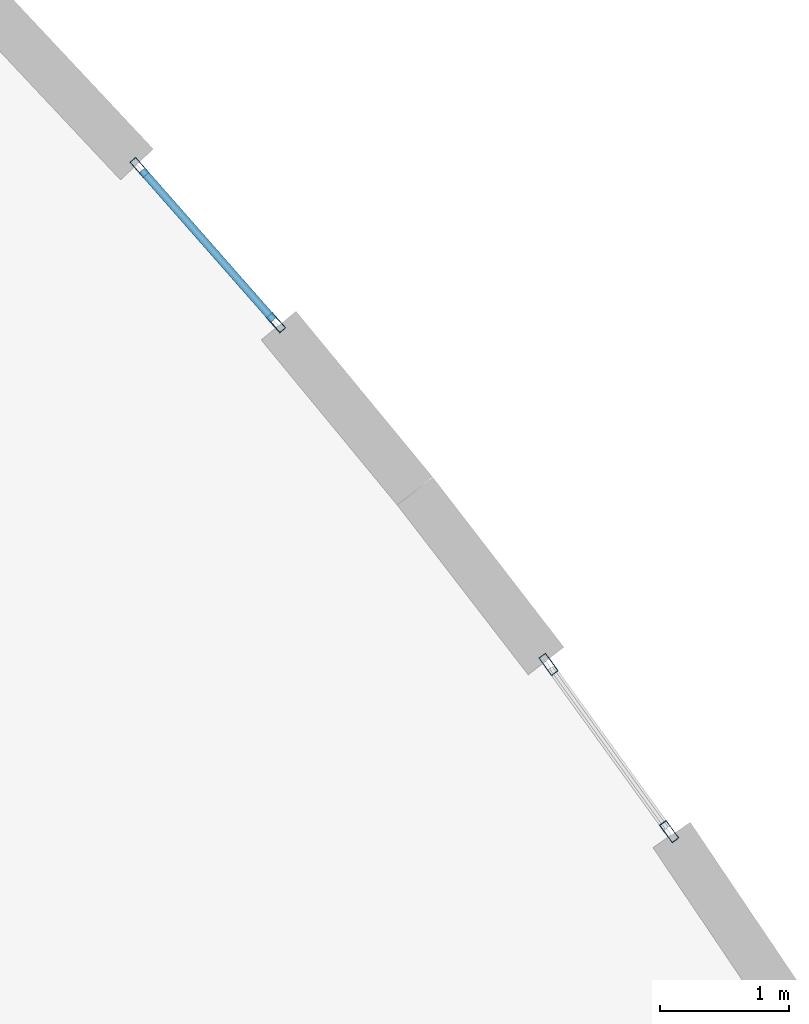
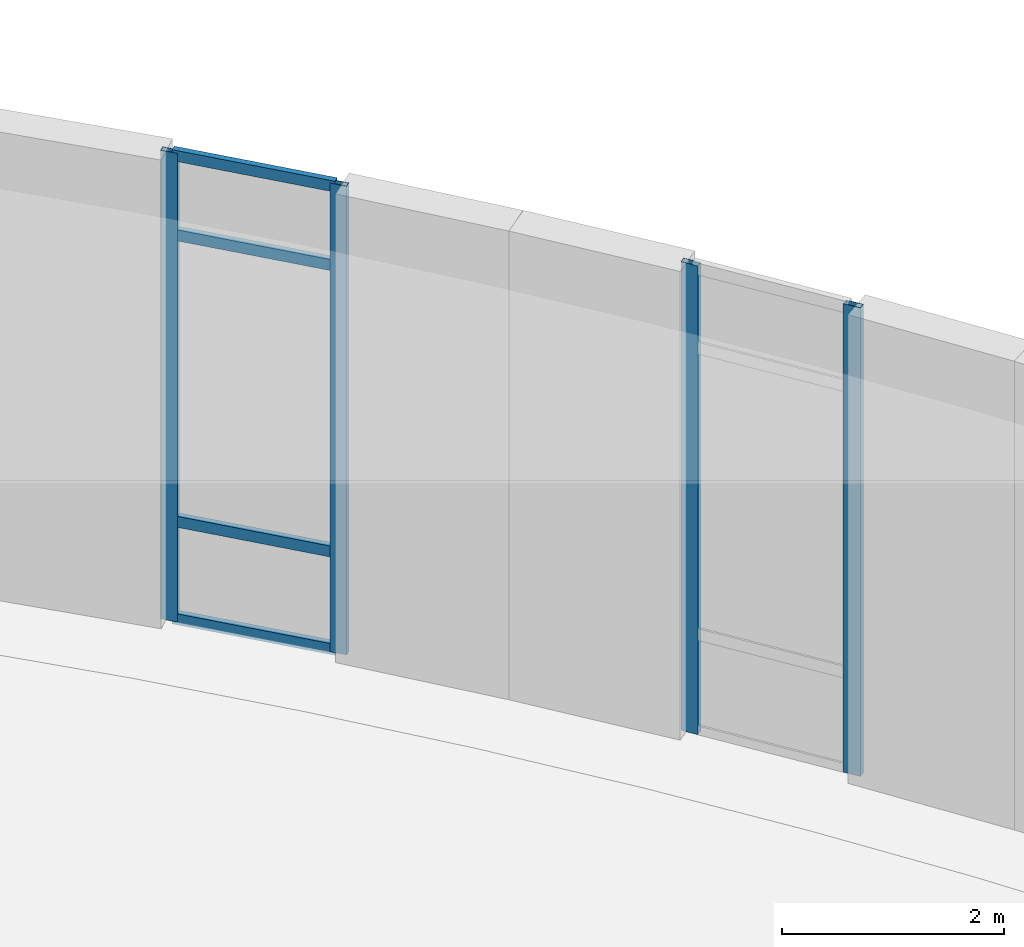
# One storey, part 48 of 110: 8 members, 2 elements without a shape of their own.
"""IFC4 building model written with IfcOpenShell, lengths in metres."""

from ifc_helpers import new_model, si_unit, direction, frame, origin, origin_2d, place, context, subcontext, project, spatial, hollow_rectangle, extrude, material, layer, layer_set, material_profile, profile_set, type_object, element, aggregate, save


model = new_model("IFC4")

# Units and contexts
model_context = context("Model", 3, precision=1e-05, world=origin(), true_north=direction((0.0, 1.0)))
body_context = subcontext(model_context, "Body", "Model", "MODEL_VIEW")
ifc_project = project(units=[si_unit("LENGTHUNIT", "METRE"), si_unit("AREAUNIT", "SQUARE_METRE"), si_unit("VOLUMEUNIT", "CUBIC_METRE"), si_unit("PLANEANGLEUNIT", "RADIAN"), si_unit("MASSUNIT", "GRAM", prefix="KILO"), si_unit("THERMODYNAMICTEMPERATUREUNIT", "KELVIN")], contexts=[model_context])

# Site, building, storey
site_placement = place(None, origin())
site = spatial("IfcSite", under=ifc_project, at=site_placement, CompositionType="ELEMENT")
building_placement = place(site_placement, origin())
building = spatial("IfcBuilding", under=site, at=building_placement, Name="Lustrewick Department Store", CompositionType="ELEMENT")
storey_placement = place(building_placement, frame((0.0, 0.0, 6.0)))
storey = spatial("IfcBuildingStorey", under=building, at=storey_placement, Name="L02", CompositionType="ELEMENT", Elevation=6.0)

# Curtain wall, members
ifc_material = material(Name="Thermally broken aluminium 6063-T5", Category="aluminium")
ifc_layer_1 = layer(ifc_material, 0.169921875, Name="Thermally broken aluminium 6063-T5")
ifc_layer_set_1 = layer_set([ifc_layer_1], Name="Thermally broken aluminium 6063-T5")
curtain_wall_type_1 = type_object("IfcCurtainWallType", Name="CW12", PredefinedType="NOTDEFINED", material=ifc_layer_set_1)
curtain_wall_1_placement = place(storey_placement, origin())
curtain_wall_1 = element("IfcCurtainWall", 1, at=curtain_wall_1_placement, inside=storey, type_object=curtain_wall_type_1, Name="L02 V4 Curtain Wall CW12", PredefinedType="NOTDEFINED")
ifc_material_profile_1 = material_profile(ifc_material, hollow_rectangle(XDim=0.06494140625, YDim=0.169921875, WallThickness=0.00390625, at=origin_2d()), Name="ALU-M 65x170x4")
ifc_profile_set_1 = profile_set([ifc_material_profile_1], Name="Thermally broken aluminium 6063-T5")
member_type_1 = type_object("IfcMemberType", Name="CW12-M1", PredefinedType="MULLION", material=ifc_profile_set_1)
member_1_placement = place(storey_placement, frame((158.6298828125, 89.37646484375, 0.0), z_axis=(0.0, 0.0, 1.0), x_axis=(-0.810865859237, -0.585232055106, 0.0)))
member_1 = element("IfcMember", 2, at=member_1_placement, type_object=member_type_1, Name="CW12 mullion 1", PredefinedType="MULLION", context=body_context, shape_type="SweptSolid", body=[
    extrude(hollow_rectangle(XDim=0.06494140625, YDim=0.169921875, WallThickness=0.00390625, at=origin_2d()), origin(), (0.0, 0.0, 1.0), 5.14501953125),
])
member_2_placement = place(storey_placement, frame((157.692626953125, 90.67529296875, 0.0), z_axis=(0.0, 0.0, 1.0), x_axis=(-0.810865859237, -0.585232055106, 0.0)))
member_2 = element("IfcMember", 3, at=member_2_placement, type_object=member_type_1, Name="CW12 mullion 2", PredefinedType="MULLION", context=body_context, shape_type="SweptSolid", body=[
    extrude(hollow_rectangle(XDim=0.06494140625, YDim=0.169921875, WallThickness=0.00390625, at=origin_2d()), origin(), (0.0, 0.0, 1.0), 5.14501953125),
])
aggregate(curtain_wall_1, [member_1, member_2])

ifc_layer_2 = layer(ifc_material, 0.159912109375, Name="Thermally broken aluminium 6063-T5")
ifc_layer_set_2 = layer_set([ifc_layer_2], Name="Thermally broken aluminium 6063-T5")
curtain_wall_type_2 = type_object("IfcCurtainWallType", Name="CW13", PredefinedType="NOTDEFINED", material=ifc_layer_set_2)
curtain_wall_2_placement = place(storey_placement, origin())
curtain_wall_2 = element("IfcCurtainWall", 4, at=curtain_wall_2_placement, inside=storey, type_object=curtain_wall_type_2, Name="L02 V4 Curtain Wall CW13", PredefinedType="NOTDEFINED")
ifc_material_profile_2 = material_profile(ifc_material, hollow_rectangle(XDim=0.06005859375, YDim=0.159912109375, WallThickness=0.00390625, at=origin_2d()), Name="ALU-M 60x160x4")
ifc_profile_set_2 = profile_set([ifc_material_profile_2], Name="Thermally broken aluminium 6063-T5")
member_type_2 = type_object("IfcMemberType", Name="CW13-M1", PredefinedType="MULLION", material=ifc_profile_set_2)
member_3_placement = place(storey_placement, frame((155.575439453125, 93.330322265625, 0.0), z_axis=(0.0, 0.0, 1.0), x_axis=(-0.750950308741, -0.660358716004, 0.0)))
member_3 = element("IfcMember", 5, at=member_3_placement, type_object=member_type_2, Name="CW13 mullion 1", PredefinedType="MULLION", context=body_context, shape_type="SweptSolid", body=[
    extrude(hollow_rectangle(XDim=0.06005859375, YDim=0.159912109375, WallThickness=0.00390625, at=origin_2d()), origin(), (0.0, 0.0, 1.0), 5.14501953125),
])
member_4_placement = place(storey_placement, frame((154.514404296875, 94.537109375, 0.0), z_axis=(0.0, 0.0, 1.0), x_axis=(-0.750950308741, -0.660358716004, 0.0)))
member_4 = element("IfcMember", 6, at=member_4_placement, type_object=member_type_2, Name="CW13 mullion 2", PredefinedType="MULLION", context=body_context, shape_type="SweptSolid", body=[
    extrude(hollow_rectangle(XDim=0.06005859375, YDim=0.159912109375, WallThickness=0.00390625, at=origin_2d()), origin(), (0.0, 0.0, 1.0), 5.14501953125),
])
ifc_material_profile_3 = material_profile(ifc_material, hollow_rectangle(XDim=0.06005859375, YDim=0.1201171875, WallThickness=0.00341796875, at=origin_2d()), Name="ALU-T 60x120x3.5")
ifc_profile_set_3 = profile_set([ifc_material_profile_3], Name="Thermally broken aluminium 6063-T5")
member_type_3 = type_object("IfcMemberType", Name="CW13-T1", PredefinedType="USERDEFINED", material=ifc_profile_set_3)
member_5_placement = place(storey_placement, frame((155.5556640625, 93.35302734375, 0.030029296875), z_axis=(-0.66035745031, 0.750951421744, 0.0), x_axis=(-0.750951421744, -0.66035745031, 0.0)))
member_5 = element("IfcMember", 7, at=member_5_placement, type_object=member_type_3, Name="CW13 transom 1.1", ObjectType="TRANSOM", PredefinedType="USERDEFINED", context=body_context, shape_type="SweptSolid", body=[
    extrude(hollow_rectangle(XDim=0.06005859375, YDim=0.1201171875, WallThickness=0.00341796875, at=origin_2d()), origin(), (0.0, 0.0, 1.0), 1.546875),
])
member_6_placement = place(storey_placement, frame((155.5556640625, 93.35302734375, 1.10009765625), z_axis=(-0.66035745031, 0.750951421744, 0.0), x_axis=(-0.750951421744, -0.66035745031, 0.0)))
member_6 = element("IfcMember", 8, at=member_6_placement, type_object=member_type_3, Name="CW13 transom 1.2", ObjectType="TRANSOM", PredefinedType="USERDEFINED", context=body_context, shape_type="SweptSolid", body=[
    extrude(hollow_rectangle(XDim=0.06005859375, YDim=0.1201171875, WallThickness=0.00341796875, at=origin_2d()), origin(), (0.0, 0.0, 1.0), 1.546875),
])
member_7_placement = place(storey_placement, frame((155.5556640625, 93.35302734375, 4.2451171875), z_axis=(-0.66035745031, 0.750951421744, 0.0), x_axis=(-0.750951421744, -0.66035745031, 0.0)))
member_7 = element("IfcMember", 9, at=member_7_placement, type_object=member_type_3, Name="CW13 transom 1.3", ObjectType="TRANSOM", PredefinedType="USERDEFINED", context=body_context, shape_type="SweptSolid", body=[
    extrude(hollow_rectangle(XDim=0.06005859375, YDim=0.1201171875, WallThickness=0.00341796875, at=origin_2d()), origin(), (0.0, 0.0, 1.0), 1.546875),
])
member_8_placement = place(storey_placement, frame((155.5556640625, 93.35302734375, 5.114990234375), z_axis=(-0.66035745031, 0.750951421744, 0.0), x_axis=(-0.750951421744, -0.66035745031, 0.0)))
member_8 = element("IfcMember", 10, at=member_8_placement, type_object=member_type_3, Name="CW13 transom 1.4", ObjectType="TRANSOM", PredefinedType="USERDEFINED", context=body_context, shape_type="SweptSolid", body=[
    extrude(hollow_rectangle(XDim=0.06005859375, YDim=0.1201171875, WallThickness=0.00341796875, at=origin_2d()), origin(), (0.0, 0.0, 1.0), 1.546875),
])
aggregate(curtain_wall_2, [member_3, member_4, member_5, member_6, member_7, member_8])

save(model, "model.ifc")
